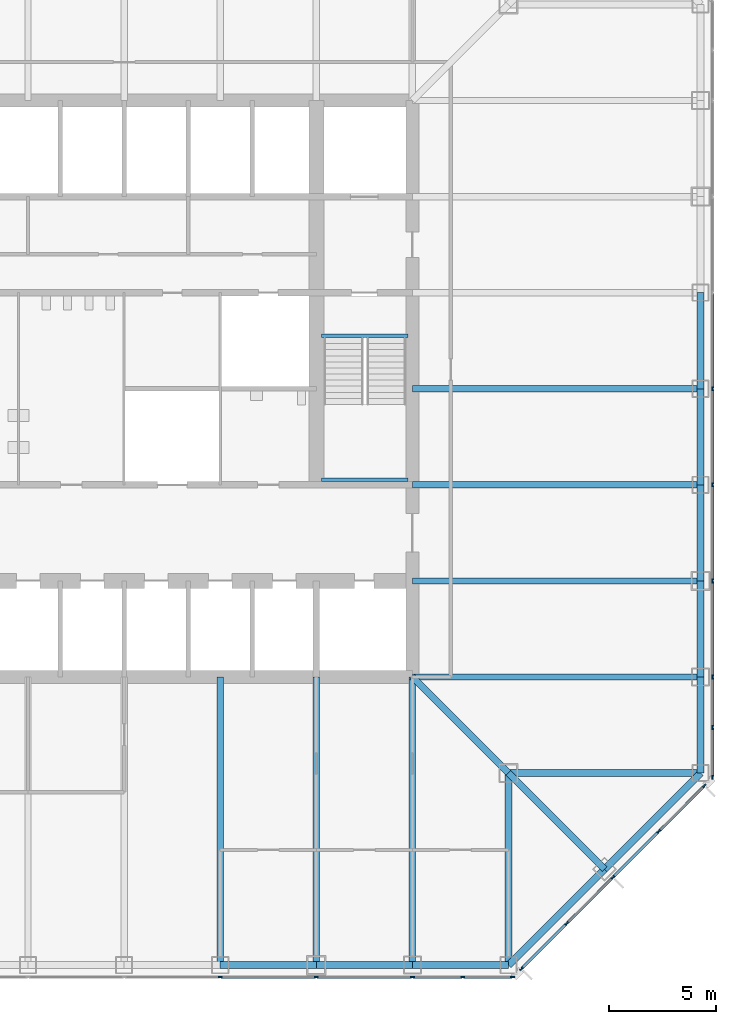
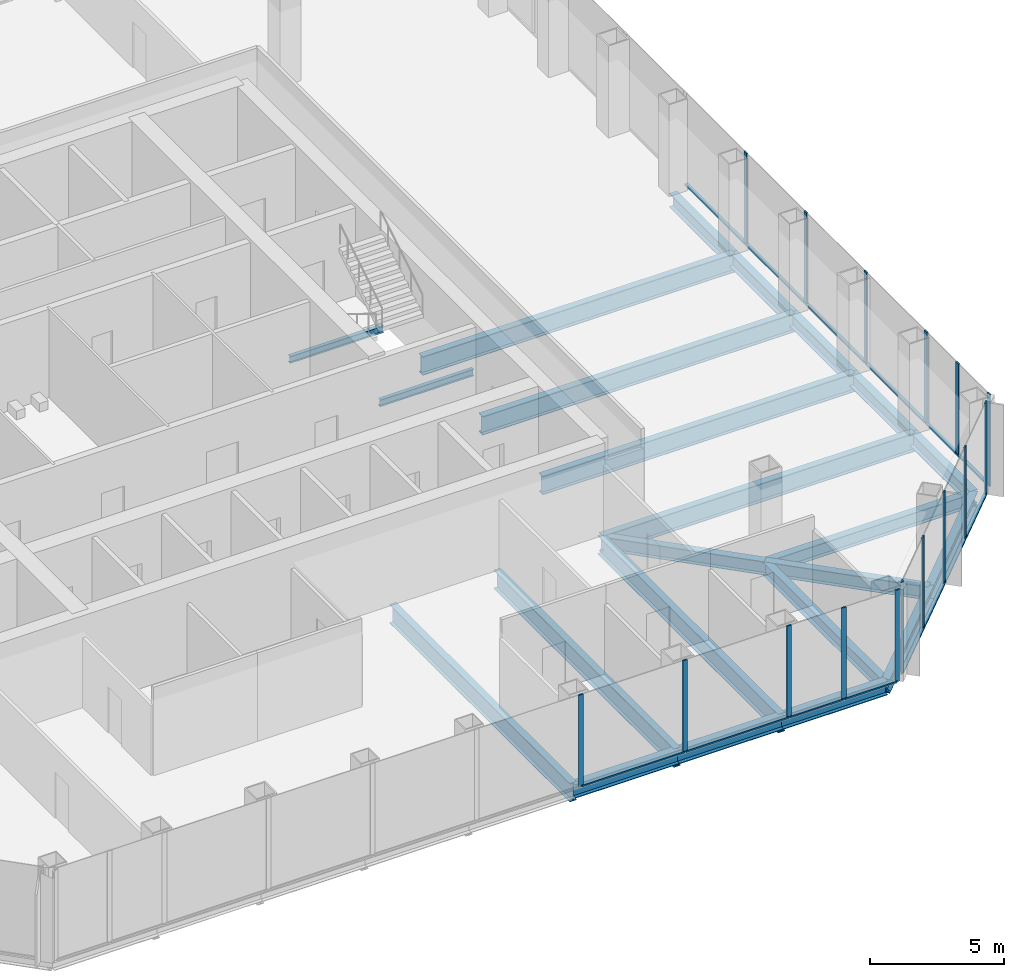
# One storey, part 4 of 12: 30 members, 23 beams, 3 elements without a shape of their own.
"""IFC4 building model written with IfcOpenShell, lengths in metres."""

from ifc_helpers import new_model, si_unit, direction, frame, origin, origin_2d, place, context, subcontext, project, spatial, rectangle, i_section, extrude, material, material_profile, profile_set, type_object, element, aggregate, save


model = new_model("IFC4")

# Units and contexts
model_context = context("Model", 3, precision=1e-05, world=origin(), true_north=direction((0.0, 1.0)))
body_context = subcontext(model_context, "Body", "Model", "MODEL_VIEW")
ifc_project = project(units=[si_unit("LENGTHUNIT", "METRE"), si_unit("AREAUNIT", "SQUARE_METRE"), si_unit("VOLUMEUNIT", "CUBIC_METRE"), si_unit("PLANEANGLEUNIT", "RADIAN"), si_unit("MASSUNIT", "GRAM", prefix="KILO")], contexts=[model_context])

# Site, building, storey
site_placement = place(None, origin())
site = spatial("IfcSite", under=ifc_project, at=site_placement, CompositionType="ELEMENT")
building_placement = place(site_placement, origin())
building = spatial("IfcBuilding", under=site, at=building_placement, Name="Corais Broadcast Tower", CompositionType="ELEMENT")
storey_placement = place(building_placement, frame((0.0, 0.0, 45.800048828125)))
storey = spatial("IfcBuildingStorey", under=building, at=storey_placement, Name="L09", CompositionType="ELEMENT", Elevation=45.800048828125)

# Beams
ifc_material_1 = material(Name="Steel ASTM A572 Grade 50", Category="steel")
ifc_material_profile_1 = material_profile(ifc_material_1, i_section(OverallWidth=0.323974609375, OverallDepth=0.611083984375, WebThickness=0.0126953125, FlangeThickness=0.01904296875, at=origin_2d()), Name="W610x155")
ifc_profile_set_1 = profile_set([ifc_material_profile_1], Name="Steel ASTM A572 Grade 50")
beam_type_1 = type_object("IfcBeamType", Name="Chamfer tie W610x155", PredefinedType="BEAM", material=ifc_profile_set_1)
beam_1_placement = place(storey_placement, frame((49.5, 4.5, -0.465576171875), z_axis=(-0.707106781187, 0.707106781187, 0.0), x_axis=(-0.707106781187, -0.707106781187, 0.0)))
element("IfcBeam", 1, at=beam_1_placement, inside=storey, type_object=beam_type_1, Name="B5 B/14 to C/13", PredefinedType="BEAM", context=body_context, shape_type="SweptSolid", body=[
    extrude(i_section(OverallWidth=0.323974609375, OverallDepth=0.611083984375, WebThickness=0.0126953125, FlangeThickness=0.01904296875, at=origin_2d()), origin(), (0.0, 0.0, 1.0), 6.364013671875),
])
ifc_material_2 = material(Name="Steel ASTM A572 Grade 50", Category="steel")
ifc_material_profile_2 = material_profile(ifc_material_2, i_section(OverallWidth=0.323974609375, OverallDepth=0.611083984375, WebThickness=0.0126953125, FlangeThickness=0.01904296875, at=origin_2d()), Name="W610x155")
ifc_profile_set_2 = profile_set([ifc_material_profile_2], Name="Steel ASTM A572 Grade 50")
beam_type_2 = type_object("IfcBeamType", Name="Corner diagonal W610x155", PredefinedType="BEAM", material=ifc_profile_set_2)
beam_2_placement = place(storey_placement, frame((45.0, 9.0, -0.465576171875), z_axis=(-0.707106781187, 0.707106781187, 0.0), x_axis=(-0.707106781187, -0.707106781187, 0.0)))
element("IfcBeam", 2, at=beam_2_placement, inside=storey, type_object=beam_type_2, Name="B6 C/13 to D/12", PredefinedType="BEAM", context=body_context, shape_type="SweptSolid", body=[
    extrude(i_section(OverallWidth=0.323974609375, OverallDepth=0.611083984375, WebThickness=0.0126953125, FlangeThickness=0.01904296875, at=origin_2d()), origin(), (0.0, 0.0, 1.0), 6.364013671875),
])
ifc_material_3 = material(Name="Steel ASTM A572 Grade 50", Category="steel")
ifc_material_profile_3 = material_profile(ifc_material_3, i_section(OverallWidth=0.323974609375, OverallDepth=0.611083984375, WebThickness=0.0126953125, FlangeThickness=0.01904296875, at=origin_2d()), Name="W610x155")
ifc_profile_set_3 = profile_set([ifc_material_profile_3], Name="Steel ASTM A572 Grade 50")
beam_type_3 = type_object("IfcBeamType", Name="Corner girder W610x155", PredefinedType="BEAM", material=ifc_profile_set_3)
for number, where, z_axis, x_axis, name in (
    (3, (45.0, 0.0, -0.465576171875), (0.0, 1.0, 0.0), (-1.0, 0.0, 0.0), "B4 A/13 to C/13"),
    (4, (54.0, 9.0, -0.465576171875), (-1.0, 0.0, 0.0), (0.0, -1.0, 0.0), "B4 C/15 to C/13"),
):
    element("IfcBeam", number, at=place(storey_placement, frame(where, z_axis=z_axis, x_axis=x_axis)), inside=storey, type_object=beam_type_3, Name=name, PredefinedType="BEAM", context=body_context, shape_type="SweptSolid", body=[
        extrude(i_section(OverallWidth=0.323974609375, OverallDepth=0.611083984375, WebThickness=0.0126953125, FlangeThickness=0.01904296875, at=origin_2d()), origin(), (0.0, 0.0, 1.0), 9.0),
    ])
ifc_material_4 = material(Name="Steel ASTM A572 Grade 50", Category="steel")
ifc_material_profile_4 = material_profile(ifc_material_4, i_section(OverallWidth=0.2939453125, OverallDepth=0.85107421875, WebThickness=0.01611328125, FlangeThickness=0.02685546875, at=origin_2d()), Name="W840x226")
ifc_profile_set_4 = profile_set([ifc_material_profile_4], Name="Steel ASTM A572 Grade 50")
beam_type_4 = type_object("IfcBeamType", Name="Floor beam W840x226", PredefinedType="BEAM", material=ifc_profile_set_4)
for number, where, z_axis, x_axis, name in (
    (5, (31.5, 0.0, -0.58544921875), (0.0, 1.0, 0.0), (-1.0, 0.0, 0.0), "B1 A/10 to D/10"),
    (6, (36.0, 0.0, -0.58544921875), (0.0, 1.0, 0.0), (-1.0, 0.0, 0.0), "B1 A/11 to D/11"),
    (7, (40.5, 0.0, -0.58544921875), (0.0, 1.0, 0.0), (-1.0, 0.0, 0.0), "B1 A/12 to D/12"),
    (8, (54.0, 13.5, -0.58544921875), (-1.0, 0.0, 0.0), (0.0, -1.0, 0.0), "B1 D/15 to D/12"),
    (9, (54.0, 18.0, -0.58544921875), (-1.0, 0.0, 0.0), (0.0, -1.0, 0.0), "B1 E/15 to E/12"),
    (10, (54.0, 22.5, -0.58544921875), (-1.0, 0.0, 0.0), (0.0, -1.0, 0.0), "B1 F/15 to F/12"),
    (11, (54.0, 27.0, -0.58544921875), (-1.0, 0.0, 0.0), (0.0, -1.0, 0.0), "B1 G/15 to G/12"),
):
    element("IfcBeam", number, at=place(storey_placement, frame(where, z_axis=z_axis, x_axis=x_axis)), inside=storey, type_object=beam_type_4, Name=name, PredefinedType="BEAM", context=body_context, shape_type="SweptSolid", body=[
        extrude(i_section(OverallWidth=0.2939453125, OverallDepth=0.85107421875, WebThickness=0.01611328125, FlangeThickness=0.02685546875, at=origin_2d()), origin(), (0.0, 0.0, 1.0), 13.5),
    ])
ifc_material_5 = material(Name="Steel ASTM A572 Grade 50", Category="steel")
ifc_material_profile_5 = material_profile(ifc_material_5, i_section(OverallWidth=0.1650390625, OverallDepth=0.31005859375, WebThickness=0.005859375, FlangeThickness=0.009765625, at=origin_2d()), Name="W310x38.7")
ifc_profile_set_5 = profile_set([ifc_material_profile_5], Name="Steel ASTM A572 Grade 50")
beam_type_5 = type_object("IfcBeamType", Name="Landing trimmer W310x38.7", PredefinedType="BEAM", material=ifc_profile_set_5)
for number, where, z_axis, x_axis, name in (
    (12, (36.25, 29.47509765625, -0.35498046875), (1.0, 0.0, 0.0), (0.0, 1.0, 0.0), "LT1 stair B landing trimmer L09"),
    (13, (36.25, 22.739990234375, 1.744873046875), (1.0, 0.0, 0.0), (0.0, 1.0, 0.0), "LT1 stair B half landing trimmer L09"),
):
    element("IfcBeam", number, at=place(storey_placement, frame(where, z_axis=z_axis, x_axis=x_axis)), inside=storey, type_object=beam_type_5, Name=name, PredefinedType="BEAM", context=body_context, shape_type="SweptSolid", body=[
        extrude(i_section(OverallWidth=0.1650390625, OverallDepth=0.31005859375, WebThickness=0.005859375, FlangeThickness=0.009765625, at=origin_2d()), origin(), (0.0, 0.0, 1.0), 4.050048828125),
    ])

# Curtain wall, members
ifc_material_6 = material(Name="Aluminium and glass", Category="aluminium")
curtain_wall_type = type_object("IfcCurtainWallType", Name="Unitised fritted curtain wall CW1", PredefinedType="NOTDEFINED", material=ifc_material_6)
curtain_wall_1_placement = place(storey_placement, origin())
curtain_wall_1 = element("IfcCurtainWall", 14, at=curtain_wall_1_placement, inside=storey, type_object=curtain_wall_type, Name="CW1 curtain wall L09 6", PredefinedType="NOTDEFINED")
ifc_material_7 = material(Name="Aluminium 6063-T6", Category="aluminium")
ifc_material_profile_6 = material_profile(ifc_material_7, rectangle(XDim=0.06494140625, YDim=0.199951171875, at=origin_2d()), Name="Mullion CW1 65x200")
ifc_profile_set_6 = profile_set([ifc_material_profile_6], Name="Aluminium 6063-T6")
member_type_1 = type_object("IfcMemberType", Name="Mullion CW1 65x200", PredefinedType="MULLION", material=ifc_profile_set_6)
member_1_placement = place(storey_placement, frame((54.550048828125, 27.0, 0.0), z_axis=(0.0, 0.0, 1.0), x_axis=(1.0, 0.0, 0.0)))
member_1 = element("IfcMember", 15, at=member_1_placement, type_object=member_type_1, Name="CW1 mullion 6", PredefinedType="MULLION", context=body_context, shape_type="SweptSolid", body=[
    extrude(rectangle(XDim=0.06494140625, YDim=0.199951171875, at=origin_2d()), origin(), (0.0, 0.0, 1.0), 4.199951171875),
])
member_2_placement = place(storey_placement, frame((54.550048828125, 22.5, 0.0), z_axis=(0.0, 0.0, 1.0), x_axis=(1.0, 0.0, 0.0)))
member_2 = element("IfcMember", 16, at=member_2_placement, type_object=member_type_1, Name="CW1 mullion 7", PredefinedType="MULLION", context=body_context, shape_type="SweptSolid", body=[
    extrude(rectangle(XDim=0.06494140625, YDim=0.199951171875, at=origin_2d()), origin(), (0.0, 0.0, 1.0), 4.199951171875),
])
member_3_placement = place(storey_placement, frame((54.550048828125, 18.0, 0.0), z_axis=(0.0, 0.0, 1.0), x_axis=(1.0, 0.0, 0.0)))
member_3 = element("IfcMember", 17, at=member_3_placement, type_object=member_type_1, Name="CW1 mullion 8", PredefinedType="MULLION", context=body_context, shape_type="SweptSolid", body=[
    extrude(rectangle(XDim=0.06494140625, YDim=0.199951171875, at=origin_2d()), origin(), (0.0, 0.0, 1.0), 4.199951171875),
])
member_4_placement = place(storey_placement, frame((54.550048828125, 13.5, 0.0), z_axis=(0.0, 0.0, 1.0), x_axis=(1.0, 0.0, 0.0)))
member_4 = element("IfcMember", 18, at=member_4_placement, type_object=member_type_1, Name="CW1 mullion 9", PredefinedType="MULLION", context=body_context, shape_type="SweptSolid", body=[
    extrude(rectangle(XDim=0.06494140625, YDim=0.199951171875, at=origin_2d()), origin(), (0.0, 0.0, 1.0), 4.199951171875),
])
member_5_placement = place(storey_placement, frame((54.550048828125, 11.135986328125, 0.0), z_axis=(0.0, 0.0, 1.0), x_axis=(1.0, 0.0, 0.0)))
member_5 = element("IfcMember", 19, at=member_5_placement, type_object=member_type_1, Name="CW1 mullion 10", PredefinedType="MULLION", context=body_context, shape_type="SweptSolid", body=[
    extrude(rectangle(XDim=0.06494140625, YDim=0.199951171875, at=origin_2d()), origin(), (0.0, 0.0, 1.0), 4.199951171875),
])
member_6_placement = place(storey_placement, frame((54.550048828125, 8.8046875, 0.0), z_axis=(0.0, 0.0, 1.0), x_axis=(1.0, 0.0, 0.0)))
member_6 = element("IfcMember", 20, at=member_6_placement, type_object=member_type_1, Name="CW1 mullion 11", PredefinedType="MULLION", context=body_context, shape_type="SweptSolid", body=[
    extrude(rectangle(XDim=0.06494140625, YDim=0.199951171875, at=origin_2d()), origin(), (0.0, 0.0, 1.0), 4.199951171875),
])

curtain_wall_2_placement = place(storey_placement, origin())
curtain_wall_2 = element("IfcCurtainWall", 21, at=curtain_wall_2_placement, inside=storey, type_object=curtain_wall_type, Name="CW1 curtain wall L09 7", PredefinedType="NOTDEFINED")
member_7_placement = place(storey_placement, frame((54.17333984375, 8.3955078125, 0.0), z_axis=(0.0, 0.0, 1.0), x_axis=(0.707106781187, -0.707106781187, 0.0)))
member_7 = element("IfcMember", 22, at=member_7_placement, type_object=member_type_1, Name="CW1 mullion 1", PredefinedType="MULLION", context=body_context, shape_type="SweptSolid", body=[
    extrude(rectangle(XDim=0.06494140625, YDim=0.199951171875, at=origin_2d()), origin(), (0.0, 0.0, 1.0), 4.199951171875),
])
member_8_placement = place(storey_placement, frame((52.042724609375, 6.264892578125, 0.0), z_axis=(0.0, 0.0, 1.0), x_axis=(0.707106781187, -0.707106781187, 0.0)))
member_8 = element("IfcMember", 23, at=member_8_placement, type_object=member_type_1, Name="CW1 mullion 2", PredefinedType="MULLION", context=body_context, shape_type="SweptSolid", body=[
    extrude(rectangle(XDim=0.06494140625, YDim=0.199951171875, at=origin_2d()), origin(), (0.0, 0.0, 1.0), 4.199951171875),
])
member_9_placement = place(storey_placement, frame((49.888916015625, 4.111083984375, 0.0), z_axis=(0.0, 0.0, 1.0), x_axis=(0.707106781187, -0.707106781187, 0.0)))
member_9 = element("IfcMember", 24, at=member_9_placement, type_object=member_type_1, Name="CW1 mullion 3", PredefinedType="MULLION", context=body_context, shape_type="SweptSolid", body=[
    extrude(rectangle(XDim=0.06494140625, YDim=0.199951171875, at=origin_2d()), origin(), (0.0, 0.0, 1.0), 4.199951171875),
])
member_10_placement = place(storey_placement, frame((47.735107421875, 1.957275390625, 0.0), z_axis=(0.0, 0.0, 1.0), x_axis=(0.707106781187, -0.707106781187, 0.0)))
member_10 = element("IfcMember", 25, at=member_10_placement, type_object=member_type_1, Name="CW1 mullion 4", PredefinedType="MULLION", context=body_context, shape_type="SweptSolid", body=[
    extrude(rectangle(XDim=0.06494140625, YDim=0.199951171875, at=origin_2d()), origin(), (0.0, 0.0, 1.0), 4.199951171875),
])
member_11_placement = place(storey_placement, frame((45.6044921875, -0.17333984375, 0.0), z_axis=(0.0, 0.0, 1.0), x_axis=(0.707106781187, -0.707106781187, 0.0)))
member_11 = element("IfcMember", 26, at=member_11_placement, type_object=member_type_1, Name="CW1 mullion 5", PredefinedType="MULLION", context=body_context, shape_type="SweptSolid", body=[
    extrude(rectangle(XDim=0.06494140625, YDim=0.199951171875, at=origin_2d()), origin(), (0.0, 0.0, 1.0), 4.199951171875),
])

curtain_wall_3_placement = place(storey_placement, origin())
curtain_wall_3 = element("IfcCurtainWall", 27, at=curtain_wall_3_placement, inside=storey, type_object=curtain_wall_type, Name="CW1 curtain wall L09 8", PredefinedType="NOTDEFINED")
member_12_placement = place(storey_placement, frame((45.1953125, -0.550048828125, 0.0), z_axis=(0.0, 0.0, 1.0), x_axis=(0.0, -1.0, 0.0)))
member_12 = element("IfcMember", 28, at=member_12_placement, type_object=member_type_1, Name="CW1 mullion 1", PredefinedType="MULLION", context=body_context, shape_type="SweptSolid", body=[
    extrude(rectangle(XDim=0.06494140625, YDim=0.199951171875, at=origin_2d()), origin(), (0.0, 0.0, 1.0), 4.199951171875),
])
member_13_placement = place(storey_placement, frame((42.864013671875, -0.550048828125, 0.0), z_axis=(0.0, 0.0, 1.0), x_axis=(0.0, -1.0, 0.0)))
member_13 = element("IfcMember", 29, at=member_13_placement, type_object=member_type_1, Name="CW1 mullion 2", PredefinedType="MULLION", context=body_context, shape_type="SweptSolid", body=[
    extrude(rectangle(XDim=0.06494140625, YDim=0.199951171875, at=origin_2d()), origin(), (0.0, 0.0, 1.0), 4.199951171875),
])
member_14_placement = place(storey_placement, frame((40.5, -0.550048828125, 0.0), z_axis=(0.0, 0.0, 1.0), x_axis=(0.0, -1.0, 0.0)))
member_14 = element("IfcMember", 30, at=member_14_placement, type_object=member_type_1, Name="CW1 mullion 3", PredefinedType="MULLION", context=body_context, shape_type="SweptSolid", body=[
    extrude(rectangle(XDim=0.06494140625, YDim=0.199951171875, at=origin_2d()), origin(), (0.0, 0.0, 1.0), 4.199951171875),
])
member_15_placement = place(storey_placement, frame((36.0, -0.550048828125, 0.0), z_axis=(0.0, 0.0, 1.0), x_axis=(0.0, -1.0, 0.0)))
member_15 = element("IfcMember", 31, at=member_15_placement, type_object=member_type_1, Name="CW1 mullion 4", PredefinedType="MULLION", context=body_context, shape_type="SweptSolid", body=[
    extrude(rectangle(XDim=0.06494140625, YDim=0.199951171875, at=origin_2d()), origin(), (0.0, 0.0, 1.0), 4.199951171875),
])
member_16_placement = place(storey_placement, frame((31.5, -0.550048828125, 0.0), z_axis=(0.0, 0.0, 1.0), x_axis=(0.0, -1.0, 0.0)))
member_16 = element("IfcMember", 32, at=member_16_placement, type_object=member_type_1, Name="CW1 mullion 5", PredefinedType="MULLION", context=body_context, shape_type="SweptSolid", body=[
    extrude(rectangle(XDim=0.06494140625, YDim=0.199951171875, at=origin_2d()), origin(), (0.0, 0.0, 1.0), 4.199951171875),
])

# Beams
ifc_material_8 = material(Name="Steel ASTM A572 Grade 50", Category="steel")
ifc_material_profile_7 = material_profile(ifc_material_8, i_section(OverallWidth=0.3291015625, OverallDepth=0.635009765625, WebThickness=0.017822265625, FlangeThickness=0.031005859375, at=origin_2d()), Name="W610x241")
ifc_profile_set_7 = profile_set([ifc_material_profile_7], Name="Steel ASTM A572 Grade 50")
beam_type_6 = type_object("IfcBeamType", Name="Spandrel W610x241", PredefinedType="BEAM", material=ifc_profile_set_7)
for number, where, z_axis, x_axis, name in (
    (33, (31.5, 0.0, -0.4775390625), (1.0, 0.0, 0.0), (0.0, 1.0, 0.0), "SB1 A/10 to A/11"),
    (34, (36.0, 0.0, -0.4775390625), (1.0, 0.0, 0.0), (0.0, 1.0, 0.0), "SB1 A/11 to A/12"),
    (35, (40.5, 0.0, -0.4775390625), (1.0, 0.0, 0.0), (0.0, 1.0, 0.0), "SB1 A/12 to A/13"),
):
    element("IfcBeam", number, at=place(storey_placement, frame(where, z_axis=z_axis, x_axis=x_axis)), inside=storey, type_object=beam_type_6, Name=name, PredefinedType="BEAM", context=body_context, shape_type="SweptSolid", body=[
        extrude(i_section(OverallWidth=0.3291015625, OverallDepth=0.635009765625, WebThickness=0.017822265625, FlangeThickness=0.031005859375, at=origin_2d()), origin(), (0.0, 0.0, 1.0), 4.5),
    ])
for number, where, z_axis, x_axis, name in (
    (36, (45.0, 0.0, -0.4775390625), (0.707106781187, 0.707106781187, 0.0), (-0.707106781187, 0.707106781187, 0.0), "SB1 A/13 to B/14"),
    (37, (49.5, 4.5, -0.4775390625), (0.707106781187, 0.707106781187, 0.0), (-0.707106781187, 0.707106781187, 0.0), "SB1 B/14 to C/15"),
):
    element("IfcBeam", number, at=place(storey_placement, frame(where, z_axis=z_axis, x_axis=x_axis)), inside=storey, type_object=beam_type_6, Name=name, PredefinedType="BEAM", context=body_context, shape_type="SweptSolid", body=[
        extrude(i_section(OverallWidth=0.3291015625, OverallDepth=0.635009765625, WebThickness=0.017822265625, FlangeThickness=0.031005859375, at=origin_2d()), origin(), (0.0, 0.0, 1.0), 6.364013671875),
    ])
for number, where, z_axis, x_axis, name in (
    (38, (54.0, 13.5, -0.4775390625), (0.0, 1.0, 0.0), (-1.0, 0.0, 0.0), "SB1 D/15 to E/15"),
    (39, (54.0, 18.0, -0.4775390625), (0.0, 1.0, 0.0), (-1.0, 0.0, 0.0), "SB1 E/15 to F/15"),
    (40, (54.0, 22.5, -0.4775390625), (0.0, 1.0, 0.0), (-1.0, 0.0, 0.0), "SB1 F/15 to G/15"),
    (41, (54.0, 27.0, -0.4775390625), (0.0, 1.0, 0.0), (-1.0, 0.0, 0.0), "SB1 G/15 to H/15"),
    (42, (54.0, 9.0, -0.4775390625), (0.0, 1.0, 0.0), (-1.0, 0.0, 0.0), "SB1 C/15 to D/15"),
):
    element("IfcBeam", number, at=place(storey_placement, frame(where, z_axis=z_axis, x_axis=x_axis)), inside=storey, type_object=beam_type_6, Name=name, PredefinedType="BEAM", context=body_context, shape_type="SweptSolid", body=[
        extrude(i_section(OverallWidth=0.3291015625, OverallDepth=0.635009765625, WebThickness=0.017822265625, FlangeThickness=0.031005859375, at=origin_2d()), origin(), (0.0, 0.0, 1.0), 4.5),
    ])

# Member
ifc_material_9 = material(Name="Aluminium 6063-T6", Category="aluminium")
ifc_material_profile_8 = material_profile(ifc_material_9, rectangle(XDim=0.139892578125, YDim=0.06494140625, at=origin_2d()), Name="Transom CW1 65x140")
ifc_profile_set_8 = profile_set([ifc_material_profile_8], Name="Aluminium 6063-T6")
member_type_2 = type_object("IfcMemberType", Name="Transom CW1 65x140", PredefinedType="USERDEFINED", material=ifc_profile_set_8)
member_17_placement = place(storey_placement, frame((54.550048828125, 31.467529296875, 0.032470703125), z_axis=(0.0, -1.0, 0.0), x_axis=(1.0, 0.0, 0.0)))
member_17 = element("IfcMember", 43, at=member_17_placement, type_object=member_type_2, Name="CW1 transom 5.1", ObjectType="TRANSOM", PredefinedType="USERDEFINED", context=body_context, shape_type="SweptSolid", body=[
    extrude(rectangle(XDim=0.139892578125, YDim=0.06494140625, at=origin_2d()), origin(), (0.0, 0.0, 1.0), 4.43505859375),
])

member_18_placement = place(storey_placement, frame((54.550048828125, 26.967529296875, 0.032470703125), z_axis=(0.0, -1.0, 0.0), x_axis=(1.0, 0.0, 0.0)))
member_18 = element("IfcMember", 44, at=member_18_placement, type_object=member_type_2, Name="CW1 transom 6.1", ObjectType="TRANSOM", PredefinedType="USERDEFINED", context=body_context, shape_type="SweptSolid", body=[
    extrude(rectangle(XDim=0.139892578125, YDim=0.06494140625, at=origin_2d()), origin(), (0.0, 0.0, 1.0), 4.43505859375),
])

member_19_placement = place(storey_placement, frame((54.550048828125, 22.467529296875, 0.032470703125), z_axis=(0.0, -1.0, 0.0), x_axis=(1.0, 0.0, 0.0)))
member_19 = element("IfcMember", 45, at=member_19_placement, type_object=member_type_2, Name="CW1 transom 7.1", ObjectType="TRANSOM", PredefinedType="USERDEFINED", context=body_context, shape_type="SweptSolid", body=[
    extrude(rectangle(XDim=0.139892578125, YDim=0.06494140625, at=origin_2d()), origin(), (0.0, 0.0, 1.0), 4.43505859375),
])

member_20_placement = place(storey_placement, frame((54.550048828125, 17.967529296875, 0.032470703125), z_axis=(0.0, -1.0, 0.0), x_axis=(1.0, 0.0, 0.0)))
member_20 = element("IfcMember", 46, at=member_20_placement, type_object=member_type_2, Name="CW1 transom 8.1", ObjectType="TRANSOM", PredefinedType="USERDEFINED", context=body_context, shape_type="SweptSolid", body=[
    extrude(rectangle(XDim=0.139892578125, YDim=0.06494140625, at=origin_2d()), origin(), (0.0, 0.0, 1.0), 4.43505859375),
])

member_21_placement = place(storey_placement, frame((54.550048828125, 13.467529296875, 0.032470703125), z_axis=(0.0, -1.0, 0.0), x_axis=(1.0, 0.0, 0.0)))
member_21 = element("IfcMember", 47, at=member_21_placement, type_object=member_type_2, Name="CW1 transom 9.1", ObjectType="TRANSOM", PredefinedType="USERDEFINED", context=body_context, shape_type="SweptSolid", body=[
    extrude(rectangle(XDim=0.139892578125, YDim=0.06494140625, at=origin_2d()), origin(), (0.0, 0.0, 1.0), 2.298828125),
])

member_22_placement = place(storey_placement, frame((54.550048828125, 11.103515625, 0.032470703125), z_axis=(0.0, -1.0, 0.0), x_axis=(1.0, 0.0, 0.0)))
member_22 = element("IfcMember", 48, at=member_22_placement, type_object=member_type_2, Name="CW1 transom 10.1", ObjectType="TRANSOM", PredefinedType="USERDEFINED", context=body_context, shape_type="SweptSolid", body=[
    extrude(rectangle(XDim=0.139892578125, YDim=0.06494140625, at=origin_2d()), origin(), (0.0, 0.0, 1.0), 2.266357421875),
])

aggregate(curtain_wall_1, [member_1, member_2, member_3, member_4, member_5, member_6, member_17, member_18, member_19, member_20, member_21, member_22])

member_23_placement = place(storey_placement, frame((54.150390625, 8.37255859375, 0.032470703125), z_axis=(-0.707106781187, -0.707106781187, 0.0), x_axis=(0.707106781187, -0.707106781187, 0.0)))
member_23 = element("IfcMember", 49, at=member_23_placement, type_object=member_type_2, Name="CW1 transom 1.1", ObjectType="TRANSOM", PredefinedType="USERDEFINED", context=body_context, shape_type="SweptSolid", body=[
    extrude(rectangle(XDim=0.139892578125, YDim=0.06494140625, at=origin_2d()), origin(), (0.0, 0.0, 1.0), 2.9482421875),
])

member_24_placement = place(storey_placement, frame((52.019775390625, 6.241943359375, 0.032470703125), z_axis=(-0.707106781187, -0.707106781187, 0.0), x_axis=(0.707106781187, -0.707106781187, 0.0)))
member_24 = element("IfcMember", 50, at=member_24_placement, type_object=member_type_2, Name="CW1 transom 2.1", ObjectType="TRANSOM", PredefinedType="USERDEFINED", context=body_context, shape_type="SweptSolid", body=[
    extrude(rectangle(XDim=0.139892578125, YDim=0.06494140625, at=origin_2d()), origin(), (0.0, 0.0, 1.0), 2.98095703125),
])

member_25_placement = place(storey_placement, frame((49.865966796875, 4.088134765625, 0.032470703125), z_axis=(-0.707106781187, -0.707106781187, 0.0), x_axis=(0.707106781187, -0.707106781187, 0.0)))
member_25 = element("IfcMember", 51, at=member_25_placement, type_object=member_type_2, Name="CW1 transom 3.1", ObjectType="TRANSOM", PredefinedType="USERDEFINED", context=body_context, shape_type="SweptSolid", body=[
    extrude(rectangle(XDim=0.139892578125, YDim=0.06494140625, at=origin_2d()), origin(), (0.0, 0.0, 1.0), 2.98095703125),
])

member_26_placement = place(storey_placement, frame((47.712158203125, 1.934326171875, 0.032470703125), z_axis=(-0.707106781187, -0.707106781187, 0.0), x_axis=(0.707106781187, -0.707106781187, 0.0)))
member_26 = element("IfcMember", 52, at=member_26_placement, type_object=member_type_2, Name="CW1 transom 4.1", ObjectType="TRANSOM", PredefinedType="USERDEFINED", context=body_context, shape_type="SweptSolid", body=[
    extrude(rectangle(XDim=0.139892578125, YDim=0.06494140625, at=origin_2d()), origin(), (0.0, 0.0, 1.0), 2.9482421875),
])

aggregate(curtain_wall_2, [member_7, member_8, member_9, member_10, member_11, member_23, member_24, member_25, member_26])

member_27_placement = place(storey_placement, frame((45.162841796875, -0.550048828125, 0.032470703125), z_axis=(-1.0, 0.0, 0.0), x_axis=(0.0, -1.0, 0.0)))
member_27 = element("IfcMember", 53, at=member_27_placement, type_object=member_type_2, Name="CW1 transom 1.1", ObjectType="TRANSOM", PredefinedType="USERDEFINED", context=body_context, shape_type="SweptSolid", body=[
    extrude(rectangle(XDim=0.139892578125, YDim=0.06494140625, at=origin_2d()), origin(), (0.0, 0.0, 1.0), 2.266357421875),
])

member_28_placement = place(storey_placement, frame((42.831298828125, -0.550048828125, 0.032470703125), z_axis=(-1.0, 0.0, 0.0), x_axis=(0.0, -1.0, 0.0)))
member_28 = element("IfcMember", 54, at=member_28_placement, type_object=member_type_2, Name="CW1 transom 2.1", ObjectType="TRANSOM", PredefinedType="USERDEFINED", context=body_context, shape_type="SweptSolid", body=[
    extrude(rectangle(XDim=0.139892578125, YDim=0.06494140625, at=origin_2d()), origin(), (0.0, 0.0, 1.0), 2.298828125),
])

member_29_placement = place(storey_placement, frame((40.467529296875, -0.550048828125, 0.032470703125), z_axis=(-1.0, 0.0, 0.0), x_axis=(0.0, -1.0, 0.0)))
member_29 = element("IfcMember", 55, at=member_29_placement, type_object=member_type_2, Name="CW1 transom 3.1", ObjectType="TRANSOM", PredefinedType="USERDEFINED", context=body_context, shape_type="SweptSolid", body=[
    extrude(rectangle(XDim=0.139892578125, YDim=0.06494140625, at=origin_2d()), origin(), (0.0, 0.0, 1.0), 4.43505859375),
])

member_30_placement = place(storey_placement, frame((35.967529296875, -0.550048828125, 0.032470703125), z_axis=(-1.0, 0.0, 0.0), x_axis=(0.0, -1.0, 0.0)))
member_30 = element("IfcMember", 56, at=member_30_placement, type_object=member_type_2, Name="CW1 transom 4.1", ObjectType="TRANSOM", PredefinedType="USERDEFINED", context=body_context, shape_type="SweptSolid", body=[
    extrude(rectangle(XDim=0.139892578125, YDim=0.06494140625, at=origin_2d()), origin(), (0.0, 0.0, 1.0), 4.43505859375),
])

aggregate(curtain_wall_3, [member_12, member_13, member_14, member_15, member_16, member_27, member_28, member_29, member_30])

save(model, "model.ifc")
